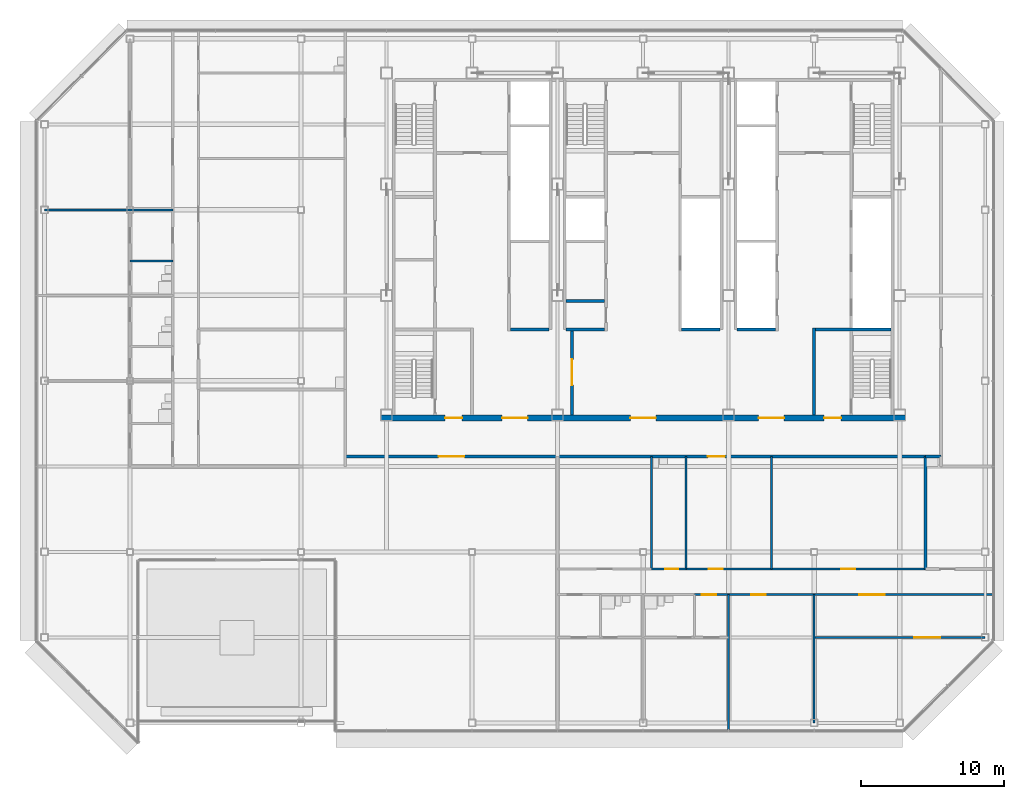
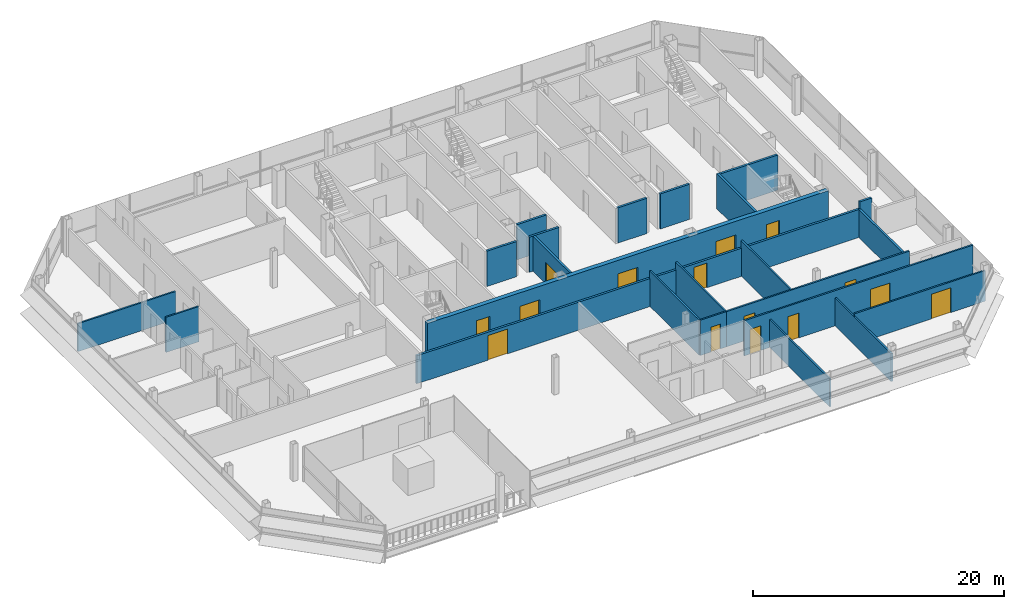
# One storey, part 24 of 31: 23 walls, 15 doors, 15 openings.
"""IFC4 building model written with IfcOpenShell, lengths in metres."""

from ifc_helpers import new_model, si_unit, direction, frame, frame_2d, origin, place, context, subcontext, project, spatial, rectangle, extrude, material, layer, layer_set, type_object, element, fill, save


model = new_model("IFC4")

# Units and contexts
model_context = context("Model", 3, precision=1e-05, world=origin(), true_north=direction((0.0, 1.0)))
body_context = subcontext(model_context, "Body", "Model", "MODEL_VIEW")
ifc_project = project(units=[si_unit("LENGTHUNIT", "METRE"), si_unit("AREAUNIT", "SQUARE_METRE"), si_unit("VOLUMEUNIT", "CUBIC_METRE"), si_unit("PLANEANGLEUNIT", "RADIAN"), si_unit("MASSUNIT", "GRAM", prefix="KILO")], contexts=[model_context])

# Site, building, storey
site_placement = place(None, origin())
site = spatial("IfcSite", under=ifc_project, at=site_placement, CompositionType="ELEMENT")
building_placement = place(site_placement, origin())
building = spatial("IfcBuilding", under=site, at=building_placement, Name="Sorahane Residences", CompositionType="ELEMENT")
storey_placement = place(building_placement, frame((0.0, 0.0, 319.60009765625)))
storey = spatial("IfcBuildingStorey", under=building, at=storey_placement, Name="L76", CompositionType="ELEMENT", Elevation=319.60009765625)

# Wall, openings, doors
ifc_material_1 = material(Name="Concrete blockwork C20 wall", Category="masonry")
ifc_layer_1 = layer(ifc_material_1, 0.199951171875)
ifc_layer_set_1 = layer_set([ifc_layer_1], Name="Corridor wall 200 EI 120")
wall_type_1 = type_object("IfcWallType", Name="Corridor wall 200 EI 120", PredefinedType="SOLIDWALL", material=ifc_layer_set_1)
wall_1_placement = place(storey_placement, frame((3.10009765625, 18.699951171875, 0.0), z_axis=(0.0, 0.0, 1.0), x_axis=(1.0, 0.0, 0.0)))
wall_1 = element("IfcWall", 1, at=wall_1_placement, inside=storey, type_object=wall_type_1, Name="L76 corridor wall", PredefinedType="SOLIDWALL", context=body_context, shape_type="SweptSolid", body=[
    extrude(rectangle(XDim=40.699951171875, YDim=0.199951171875, at=frame_2d((20.35009765625, 0.0))), origin(), (0.0, 0.0, 1.0), 2.719970703125),
])
opening_1_placement = place(wall_1_placement, frame((25.43994140625, 0.0, 0.0)))
opening_1 = element("IfcOpeningElement", 2, at=opening_1_placement, cuts=wall_1, Name="Opening L76-31", PredefinedType="OPENING", context=body_context, shape_type="SweptSolid", body=[
    extrude(rectangle(XDim=1.199951171875, YDim=2.39990234375, at=frame_2d((0.60009765625, 1.199951171875))), frame((0.0, 0.10986328125, 0.0), z_axis=(0.0, -1.0, 0.0), x_axis=(1.0, 0.0, 0.0)), (0.0, 0.0, 1.0), 0.219970703125),
])
opening_2_placement = place(wall_1_placement, frame((6.550048828125, 0.0, 0.0)))
opening_2 = element("IfcOpeningElement", 3, at=opening_2_placement, cuts=wall_1, Name="Opening L76-33", PredefinedType="OPENING", context=body_context, shape_type="SweptSolid", body=[
    extrude(rectangle(XDim=1.800048828125, YDim=2.39990234375, at=frame_2d((0.89990234375, 1.199951171875))), frame((0.0, 0.10986328125, 0.0), z_axis=(0.0, -1.0, 0.0), x_axis=(1.0, 0.0, 0.0)), (0.0, 0.0, 1.0), 0.219970703125),
])
ifc_material_2 = material(Name="Timber veneered fire door", Category="wood")
door_type_1 = type_object("IfcDoorType", Name="Double door 1800x2400 FD30", OperationType="NOTDEFINED", PredefinedType="DOOR", material=ifc_material_2)
door_1_placement = place(opening_2_placement, frame((1.800048828125, 0.0, 0.0), z_axis=(0.0, 0.0, 1.0), x_axis=(-1.0, 0.0, 0.0)))
door_1 = element("IfcDoor", 4, at=door_1_placement, inside=storey, type_object=door_type_1, Name="Double door L76-33", OperationType="SINGLE_SWING_RIGHT", OverallHeight=2.39990234375, OverallWidth=1.800048828125, PredefinedType="DOOR", context=body_context, shape_type="SweptSolid", body=[
    extrude(rectangle(XDim=1.800048828125, YDim=2.39990234375, at=frame_2d((0.89990234375, 1.199951171875))), frame((0.0, 0.02490234375, 0.0), z_axis=(0.0, -1.0, 0.0), x_axis=(1.0, 0.0, 0.0)), (0.0, 0.0, 1.0), 0.050048828125),
])
fill(opening_2, door_1)
ifc_material_3 = material(Name="Timber veneered fire door", Category="wood")
door_type_2 = type_object("IfcDoorType", Name="Flat entrance door 1200x2400 FD60", OperationType="NOTDEFINED", PredefinedType="DOOR", material=ifc_material_3)
door_2_placement = place(opening_1_placement, frame((1.199951171875, 0.0, 0.0), z_axis=(0.0, 0.0, 1.0), x_axis=(-1.0, 0.0, 0.0)))
door_2 = element("IfcDoor", 5, at=door_2_placement, inside=storey, type_object=door_type_2, Name="Flat entrance door L76-31", OperationType="SINGLE_SWING_RIGHT", OverallHeight=2.39990234375, OverallWidth=1.199951171875, PredefinedType="DOOR", context=body_context, shape_type="SweptSolid", body=[
    extrude(rectangle(XDim=1.199951171875, YDim=2.39990234375, at=frame_2d((0.60009765625, 1.199951171875))), frame((0.0, 0.02490234375, 0.0), z_axis=(0.0, -1.0, 0.0), x_axis=(1.0, 0.0, 0.0)), (0.0, 0.0, 1.0), 0.050048828125),
])
fill(opening_1, door_2)

# Walls
ifc_material_4 = material(Name="Concrete C30", Category="concrete")
ifc_layer_2 = layer(ifc_material_4, 0.199951171875)
ifc_layer_set_2 = layer_set([ifc_layer_2], Name="Front room wall 200 EI 120")
wall_type_2 = type_object("IfcWallType", Name="Front room wall 200 EI 120", PredefinedType="PARTITIONING", material=ifc_layer_set_2)
wall_2_placement = place(storey_placement, frame((36.0, 21.60009765625, 0.0), z_axis=(0.0, 0.0, 1.0), x_axis=(0.0, 1.0, 0.0)))
element("IfcWall", 6, at=wall_2_placement, inside=storey, type_object=wall_type_2, Name="L76 front room wall", PredefinedType="PARTITIONING", context=body_context, shape_type="SweptSolid", body=[
    extrude(rectangle(XDim=6.099853515625, YDim=0.199951171875, at=frame_2d((3.0498046875, 0.0))), origin(), (0.0, 0.0, 1.0), 3.419921875),
])
ifc_material_5 = material(Name="Concrete blockwork C20 wall", Category="masonry")
ifc_layer_3 = layer(ifc_material_5, 0.199951171875)
ifc_layer_set_3 = layer_set([ifc_layer_3], Name="Kitchen wall 200 EI 180")
wall_type_3 = type_object("IfcWallType", Name="Kitchen wall 200 EI 180", PredefinedType="SOLIDWALL", material=ifc_layer_set_3)
wall_3_placement = place(storey_placement, frame((43.800048828125, 10.800048828125, 0.0), z_axis=(0.0, 0.0, 1.0), x_axis=(0.0, 1.0, 0.0)))
element("IfcWall", 7, at=wall_3_placement, inside=storey, type_object=wall_type_3, Name="L76 kitchen wall", PredefinedType="SOLIDWALL", context=body_context, shape_type="SweptSolid", body=[
    extrude(rectangle(XDim=7.89990234375, YDim=0.199951171875, at=frame_2d((3.949951171875, 0.0))), origin(), (0.0, 0.0, 1.0), 2.719970703125),
])
wall_4_placement = place(storey_placement, frame((43.800048828125, 18.699951171875, 0.0), z_axis=(0.0, 0.0, 1.0), x_axis=(1.0, 0.0, 0.0)))
element("IfcWall", 8, at=wall_4_placement, inside=storey, type_object=wall_type_3, Name="L76 kitchen wall", PredefinedType="SOLIDWALL", context=body_context, shape_type="SweptSolid", body=[
    extrude(rectangle(XDim=1.099853515625, YDim=0.199951171875, at=frame_2d((0.5498046875, 0.0))), origin(), (0.0, 0.0, 1.0), 3.419921875),
])
ifc_material_6 = material(Name="Concrete C30", Category="concrete")
ifc_layer_4 = layer(ifc_material_6, 0.199951171875)
ifc_layer_set_4 = layer_set([ifc_layer_4], Name="Lift shaft wall 200 EI 120")
wall_type_4 = type_object("IfcWallType", Name="Lift shaft wall 200 EI 120", PredefinedType="SOLIDWALL", material=ifc_layer_set_4)
wall_5_placement = place(storey_placement, frame((30.60009765625, 27.60009765625, 0.0), z_axis=(0.0, 0.0, 1.0), x_axis=(1.0, 0.0, 0.0)))
element("IfcWall", 9, at=wall_5_placement, inside=storey, type_object=wall_type_4, Name="L76 lift shaft wall", PredefinedType="SOLIDWALL", context=body_context, shape_type="SweptSolid", body=[
    extrude(rectangle(XDim=2.699951171875, YDim=0.199951171875, at=frame_2d((1.35009765625, 0.0))), origin(), (0.0, 0.0, 1.0), 3.419921875),
])
ifc_material_7 = material(Name="Gypsum board partition on steel studs", Category="steel")
ifc_layer_5 = layer(ifc_material_7, 0.14990234375)
ifc_layer_set_5 = layer_set([ifc_layer_5], Name="Partition 150 EI 90")
wall_type_5 = type_object("IfcWallType", Name="Partition 150 EI 90", PredefinedType="PARTITIONING", material=ifc_layer_set_5)
wall_6_placement = place(storey_placement, frame((30.0, -0.60009765625, 0.0), z_axis=(0.0, 0.0, 1.0), x_axis=(0.0, 1.0, 0.0)))
element("IfcWall", 10, at=wall_6_placement, inside=storey, type_object=wall_type_5, Name="L76 partition", PredefinedType="PARTITIONING", context=body_context, shape_type="SweptSolid", body=[
    extrude(rectangle(XDim=9.60009765625, YDim=0.14990234375, at=frame_2d((4.800048828125, 0.0))), origin(), (0.0, 0.0, 1.0), 2.719970703125),
])
wall_7_placement = place(storey_placement, frame((33.0, 10.800048828125, 0.0), z_axis=(0.0, 0.0, 1.0), x_axis=(0.0, 1.0, 0.0)))
element("IfcWall", 11, at=wall_7_placement, inside=storey, type_object=wall_type_5, Name="L76 partition", PredefinedType="PARTITIONING", context=body_context, shape_type="SweptSolid", body=[
    extrude(rectangle(XDim=7.89990234375, YDim=0.14990234375, at=frame_2d((3.949951171875, 0.0))), origin(), (0.0, 0.0, 1.0), 3.419921875),
])
wall_8_placement = place(storey_placement, frame((36.0, 0.0, 0.0), z_axis=(0.0, 0.0, 1.0), x_axis=(0.0, 1.0, 0.0)))
element("IfcWall", 12, at=wall_8_placement, inside=storey, type_object=wall_type_5, Name="L76 partition", PredefinedType="PARTITIONING", context=body_context, shape_type="SweptSolid", body=[
    extrude(rectangle(XDim=9.0, YDim=0.14990234375, at=frame_2d((4.5, 0.0))), origin(), (0.0, 0.0, 1.0), 2.719970703125),
])

# Wall, openings, doors
wall_9_placement = place(storey_placement, frame((27.0, 10.800048828125, 0.0), z_axis=(0.0, 0.0, 1.0), x_axis=(1.0, 0.0, 0.0)))
wall_9 = element("IfcWall", 13, at=wall_9_placement, inside=storey, type_object=wall_type_5, Name="L76 partition", PredefinedType="PARTITIONING", context=body_context, shape_type="SweptSolid", body=[
    extrude(rectangle(XDim=16.800048828125, YDim=0.14990234375, at=frame_2d((8.39990234375, 0.0))), origin(), (0.0, 0.0, 1.0), 3.419921875),
])
opening_3_placement = place(wall_9_placement, frame((1.60009765625, 0.0, 0.0)))
opening_3 = element("IfcOpeningElement", 14, at=opening_3_placement, cuts=wall_9, Name="Opening L76-01", PredefinedType="OPENING", context=body_context, shape_type="SweptSolid", body=[
    extrude(rectangle(XDim=1.0, YDim=2.39990234375, at=frame_2d((0.5, 1.199951171875))), frame((0.0, 0.0849609375, 0.0), z_axis=(0.0, -1.0, 0.0), x_axis=(1.0, 0.0, 0.0)), (0.0, 0.0, 1.0), 0.169921875),
])
opening_4_placement = place(wall_9_placement, frame((10.89990234375, 0.0, 0.0)))
opening_4 = element("IfcOpeningElement", 15, at=opening_4_placement, cuts=wall_9, Name="Opening L76-04", PredefinedType="OPENING", context=body_context, shape_type="SweptSolid", body=[
    extrude(rectangle(XDim=1.0, YDim=2.39990234375, at=frame_2d((0.5, 1.199951171875))), frame((0.0, 0.0849609375, 0.0), z_axis=(0.0, -1.0, 0.0), x_axis=(1.0, 0.0, 0.0)), (0.0, 0.0, 1.0), 0.169921875),
])
ifc_material_8 = material(Name="Timber veneered fire door", Category="wood")
door_type_3 = type_object("IfcDoorType", Name="Room door 1000x2400 FD30", OperationType="NOTDEFINED", PredefinedType="DOOR", material=ifc_material_8)
door_3_placement = place(opening_3_placement, frame((1.0, 0.0, 0.0), z_axis=(0.0, 0.0, 1.0), x_axis=(-1.0, 0.0, 0.0)))
door_3 = element("IfcDoor", 16, at=door_3_placement, inside=storey, type_object=door_type_3, Name="Room door L76-01", OperationType="SINGLE_SWING_LEFT", OverallHeight=2.39990234375, OverallWidth=1.0, PredefinedType="DOOR", context=body_context, shape_type="SweptSolid", body=[
    extrude(rectangle(XDim=1.0, YDim=2.39990234375, at=frame_2d((0.5, 1.199951171875))), frame((0.0, 0.02490234375, 0.0), z_axis=(0.0, -1.0, 0.0), x_axis=(1.0, 0.0, 0.0)), (0.0, 0.0, 1.0), 0.050048828125),
])
fill(opening_3, door_3)
door_4_placement = place(opening_4_placement, origin())
door_4 = element("IfcDoor", 17, at=door_4_placement, inside=storey, type_object=door_type_3, Name="Room door L76-04", OperationType="SINGLE_SWING_LEFT", OverallHeight=2.39990234375, OverallWidth=1.0, PredefinedType="DOOR", context=body_context, shape_type="SweptSolid", body=[
    extrude(rectangle(XDim=1.0, YDim=2.39990234375, at=frame_2d((0.5, 1.199951171875))), frame((0.0, 0.02490234375, 0.0), z_axis=(0.0, -1.0, 0.0), x_axis=(1.0, 0.0, 0.0)), (0.0, 0.0, 1.0), 0.050048828125),
])
fill(opening_4, door_4)

# Wall
wall_10_placement = place(storey_placement, frame((-18.0, 36.0, 0.0), z_axis=(0.0, 0.0, 1.0), x_axis=(1.0, 0.0, 0.0)))
element("IfcWall", 18, at=wall_10_placement, inside=storey, type_object=wall_type_5, Name="L76 partition", PredefinedType="PARTITIONING", context=body_context, shape_type="SweptSolid", body=[
    extrude(rectangle(XDim=9.0, YDim=0.14990234375, at=frame_2d((4.5, 0.0))), origin(), (0.0, 0.0, 1.0), 2.719970703125),
])

# Wall, opening, door
wall_11_placement = place(storey_placement, frame((36.0, 6.0, 0.0), z_axis=(0.0, 0.0, 1.0), x_axis=(1.0, 0.0, 0.0)))
wall_11 = element("IfcWall", 19, at=wall_11_placement, inside=storey, type_object=wall_type_5, Name="L76 partition", PredefinedType="PARTITIONING", context=body_context, shape_type="SweptSolid", body=[
    extrude(rectangle(XDim=12.0, YDim=0.14990234375, at=frame_2d((6.0, 0.0))), origin(), (0.0, 0.0, 1.0), 2.969970703125),
])
opening_5_placement = place(wall_11_placement, frame((7.0400390625, 0.0, 0.0)))
opening_5 = element("IfcOpeningElement", 20, at=opening_5_placement, cuts=wall_11, Name="Opening L76-14", PredefinedType="OPENING", context=body_context, shape_type="SweptSolid", body=[
    extrude(rectangle(XDim=1.800048828125, YDim=2.39990234375, at=frame_2d((0.89990234375, 1.199951171875))), frame((0.0, 0.0849609375, 0.0), z_axis=(0.0, -1.0, 0.0), x_axis=(1.0, 0.0, 0.0)), (0.0, 0.0, 1.0), 0.169921875),
])
door_5_placement = place(opening_5_placement, frame((1.800048828125, 0.0, 0.0), z_axis=(0.0, 0.0, 1.0), x_axis=(-1.0, 0.0, 0.0)))
door_5 = element("IfcDoor", 21, at=door_5_placement, inside=storey, type_object=door_type_1, Name="Double door L76-14", OperationType="SINGLE_SWING_RIGHT", OverallHeight=2.39990234375, OverallWidth=1.800048828125, PredefinedType="DOOR", context=body_context, shape_type="SweptSolid", body=[
    extrude(rectangle(XDim=1.800048828125, YDim=2.39990234375, at=frame_2d((0.89990234375, 1.199951171875))), frame((0.0, 0.02490234375, 0.0), z_axis=(0.0, -1.0, 0.0), x_axis=(1.0, 0.0, 0.0)), (0.0, 0.0, 1.0), 0.050048828125),
])
fill(opening_5, door_5)

# Wall, openings, doors
wall_12_placement = place(storey_placement, frame((27.60009765625, 9.0, 0.0), z_axis=(0.0, 0.0, 1.0), x_axis=(1.0, 0.0, 0.0)))
wall_12 = element("IfcWall", 22, at=wall_12_placement, inside=storey, type_object=wall_type_5, Name="L76 partition", PredefinedType="PARTITIONING", context=body_context, shape_type="SweptSolid", body=[
    extrude(rectangle(XDim=21.0, YDim=0.14990234375, at=frame_2d((10.5, 0.0))), origin(), (0.0, 0.0, 1.0), 3.419921875),
])
opening_6_placement = place(wall_12_placement, frame((0.52001953125, 0.0, 0.0)))
opening_6 = element("IfcOpeningElement", 23, at=opening_6_placement, cuts=wall_12, Name="Opening L76-07", PredefinedType="OPENING", context=body_context, shape_type="SweptSolid", body=[
    extrude(rectangle(XDim=1.0, YDim=2.39990234375, at=frame_2d((0.5, 1.199951171875))), frame((0.0, 0.0849609375, 0.0), z_axis=(0.0, -1.0, 0.0), x_axis=(1.0, 0.0, 0.0)), (0.0, 0.0, 1.0), 0.169921875),
])
opening_7_placement = place(wall_12_placement, frame((4.0, 0.0, 0.0)))
opening_7 = element("IfcOpeningElement", 24, at=opening_7_placement, cuts=wall_12, Name="Opening L76-08", PredefinedType="OPENING", context=body_context, shape_type="SweptSolid", body=[
    extrude(rectangle(XDim=1.0, YDim=2.39990234375, at=frame_2d((0.5, 1.199951171875))), frame((0.0, 0.0849609375, 0.0), z_axis=(0.0, -1.0, 0.0), x_axis=(1.0, 0.0, 0.0)), (0.0, 0.0, 1.0), 0.169921875),
])
opening_8_placement = place(wall_12_placement, frame((11.56005859375, 0.0, 0.0)))
opening_8 = element("IfcOpeningElement", 25, at=opening_8_placement, cuts=wall_12, Name="Opening L76-09", PredefinedType="OPENING", context=body_context, shape_type="SweptSolid", body=[
    extrude(rectangle(XDim=1.800048828125, YDim=2.39990234375, at=frame_2d((0.89990234375, 1.199951171875))), frame((0.0, 0.0849609375, 0.0), z_axis=(0.0, -1.0, 0.0), x_axis=(1.0, 0.0, 0.0)), (0.0, 0.0, 1.0), 0.169921875),
])
door_6_placement = place(opening_8_placement, frame((1.800048828125, 0.0, 0.0), z_axis=(0.0, 0.0, 1.0), x_axis=(-1.0, 0.0, 0.0)))
door_6 = element("IfcDoor", 26, at=door_6_placement, inside=storey, type_object=door_type_1, Name="Double door L76-09", OperationType="SINGLE_SWING_LEFT", OverallHeight=2.39990234375, OverallWidth=1.800048828125, PredefinedType="DOOR", context=body_context, shape_type="SweptSolid", body=[
    extrude(rectangle(XDim=1.800048828125, YDim=2.39990234375, at=frame_2d((0.89990234375, 1.199951171875))), frame((0.0, 0.02490234375, 0.0), z_axis=(0.0, -1.0, 0.0), x_axis=(1.0, 0.0, 0.0)), (0.0, 0.0, 1.0), 0.050048828125),
])
fill(opening_8, door_6)
door_7_placement = place(opening_6_placement, frame((1.0, 0.0, 0.0), z_axis=(0.0, 0.0, 1.0), x_axis=(-1.0, 0.0, 0.0)))
door_7 = element("IfcDoor", 27, at=door_7_placement, inside=storey, type_object=door_type_3, Name="Room door L76-07", OperationType="SINGLE_SWING_RIGHT", OverallHeight=2.39990234375, OverallWidth=1.0, PredefinedType="DOOR", context=body_context, shape_type="SweptSolid", body=[
    extrude(rectangle(XDim=1.0, YDim=2.39990234375, at=frame_2d((0.5, 1.199951171875))), frame((0.0, 0.02490234375, 0.0), z_axis=(0.0, -1.0, 0.0), x_axis=(1.0, 0.0, 0.0)), (0.0, 0.0, 1.0), 0.050048828125),
])
fill(opening_6, door_7)
door_8_placement = place(opening_7_placement, frame((1.0, 0.0, 0.0), z_axis=(0.0, 0.0, 1.0), x_axis=(-1.0, 0.0, 0.0)))
door_8 = element("IfcDoor", 28, at=door_8_placement, inside=storey, type_object=door_type_3, Name="Room door L76-08", OperationType="SINGLE_SWING_LEFT", OverallHeight=2.39990234375, OverallWidth=1.0, PredefinedType="DOOR", context=body_context, shape_type="SweptSolid", body=[
    extrude(rectangle(XDim=1.0, YDim=2.39990234375, at=frame_2d((0.5, 1.199951171875))), frame((0.0, 0.02490234375, 0.0), z_axis=(0.0, -1.0, 0.0), x_axis=(1.0, 0.0, 0.0)), (0.0, 0.0, 1.0), 0.050048828125),
])
fill(opening_7, door_8)

# Wall
ifc_material_9 = material(Name="Concrete C30", Category="concrete")
ifc_layer_6 = layer(ifc_material_9, 0.199951171875)
ifc_layer_set_6 = layer_set([ifc_layer_6], Name="Riser shaft wall 200 EI 120")
wall_type_6 = type_object("IfcWallType", Name="Riser shaft wall 200 EI 120", PredefinedType="SOLIDWALL", material=ifc_layer_set_6)
wall_13_placement = place(storey_placement, frame((26.699951171875, 27.60009765625, 0.0), z_axis=(0.0, 0.0, 1.0), x_axis=(1.0, 0.0, 0.0)))
element("IfcWall", 29, at=wall_13_placement, inside=storey, type_object=wall_type_6, Name="L76 riser wall", PredefinedType="SOLIDWALL", context=body_context, shape_type="SweptSolid", body=[
    extrude(rectangle(XDim=2.699951171875, YDim=0.199951171875, at=frame_2d((1.35009765625, 0.0))), origin(), (0.0, 0.0, 1.0), 3.419921875),
])

# Wall, opening, door
ifc_material_10 = material(Name="Concrete C30", Category="concrete")
ifc_layer_7 = layer(ifc_material_10, 0.199951171875)
ifc_layer_set_7 = layer_set([ifc_layer_7], Name="Service room partition 200 EI 60")
wall_type_7 = type_object("IfcWallType", Name="Service room partition 200 EI 60", PredefinedType="PARTITIONING", material=ifc_layer_set_7)
wall_14_placement = place(storey_placement, frame((19.0, 21.60009765625, 0.0), z_axis=(0.0, 0.0, 1.0), x_axis=(0.0, 1.0, 0.0)))
wall_14 = element("IfcWall", 30, at=wall_14_placement, inside=storey, type_object=wall_type_7, Name="L76 service room wall", PredefinedType="PARTITIONING", context=body_context, shape_type="SweptSolid", body=[
    extrude(rectangle(XDim=6.0, YDim=0.199951171875, at=frame_2d((3.0, 0.0))), origin(), (0.0, 0.0, 1.0), 3.419921875),
])
opening_9_placement = place(wall_14_placement, frame((2.10009765625, 0.0, 0.0)))
opening_9 = element("IfcOpeningElement", 31, at=opening_9_placement, cuts=wall_14, Name="Opening L76-C02", PredefinedType="OPENING", context=body_context, shape_type="SweptSolid", body=[
    extrude(rectangle(XDim=1.800048828125, YDim=2.10009765625, at=frame_2d((0.89990234375, 1.050048828125))), frame((0.0, 0.10986328125, 0.0), z_axis=(0.0, -1.0, 0.0), x_axis=(1.0, 0.0, 0.0)), (0.0, 0.0, 1.0), 0.219970703125),
])
ifc_material_11 = material(Name="Steel", Category="steel")
door_type_4 = type_object("IfcDoorType", Name="Waiting hall door 1800x2100 FD60", OperationType="NOTDEFINED", PredefinedType="DOOR", material=ifc_material_11)
door_9_placement = place(opening_9_placement, origin())
door_9 = element("IfcDoor", 32, at=door_9_placement, inside=storey, type_object=door_type_4, Name="Waiting hall door Residents' waiting hall west L76", OperationType="SINGLE_SWING_LEFT", OverallHeight=2.10009765625, OverallWidth=1.800048828125, PredefinedType="DOOR", context=body_context, shape_type="SweptSolid", body=[
    extrude(rectangle(XDim=1.800048828125, YDim=2.10009765625, at=frame_2d((0.89990234375, 1.050048828125))), frame((0.0, 0.02490234375, 0.0), z_axis=(0.0, -1.0, 0.0), x_axis=(1.0, 0.0, 0.0)), (0.0, 0.0, 1.0), 0.050048828125),
])
fill(opening_9, door_9)

# Walls
for number, where, z_axis, x_axis, name in (
    (33, (14.699951171875, 27.60009765625, 0.0), (0.0, 0.0, 1.0), (1.0, 0.0, 0.0), "L76 service room wall"),
    (34, (18.60009765625, 27.60009765625, 0.0), (0.0, 0.0, 1.0), (1.0, 0.0, 0.0), "L76 service room wall"),
    (35, (18.60009765625, 29.60009765625, 0.0), (0.0, 0.0, 1.0), (1.0, 0.0, 0.0), "L76 service room wall"),
):
    element("IfcWall", number, at=place(storey_placement, frame(where, z_axis=z_axis, x_axis=x_axis)), inside=storey, type_object=wall_type_7, Name=name, PredefinedType="PARTITIONING", context=body_context, shape_type="SweptSolid", body=[
        extrude(rectangle(XDim=2.699951171875, YDim=0.199951171875, at=frame_2d((1.35009765625, 0.0))), origin(), (0.0, 0.0, 1.0), 3.419921875),
    ])
ifc_material_12 = material(Name="Concrete C30", Category="concrete")
ifc_layer_8 = layer(ifc_material_12, 0.199951171875)
ifc_layer_set_8 = layer_set([ifc_layer_8], Name="Stair enclosure wall 200 EI 120")
wall_type_8 = type_object("IfcWallType", Name="Stair enclosure wall 200 EI 120", PredefinedType="SOLIDWALL", material=ifc_layer_set_8)
wall_15_placement = place(storey_placement, frame((36.10009765625, 27.60009765625, 0.0), z_axis=(0.0, 0.0, 1.0), x_axis=(1.0, 0.0, 0.0)))
element("IfcWall", 36, at=wall_15_placement, inside=storey, type_object=wall_type_8, Name="L76 stair enclosure wall", PredefinedType="SOLIDWALL", context=body_context, shape_type="SweptSolid", body=[
    extrude(rectangle(XDim=5.2998046875, YDim=0.199951171875, at=frame_2d((2.64990234375, 0.0))), origin(), (0.0, 0.0, 1.0), 3.419921875),
])

# Wall, openings, doors
ifc_material_13 = material(Name="Concrete C30", Category="concrete")
ifc_layer_9 = layer(ifc_material_13, 0.39990234375)
ifc_layer_set_9 = layer_set([ifc_layer_9], Name="Waiting hall wall 400 EI 120")
wall_type_9 = type_object("IfcWallType", Name="Waiting hall wall 400 EI 120", PredefinedType="SOLIDWALL", material=ifc_layer_set_9)
wall_16_placement = place(storey_placement, frame((5.60009765625, 21.39990234375, 0.0), z_axis=(0.0, 0.0, 1.0), x_axis=(1.0, 0.0, 0.0)))
wall_16 = element("IfcWall", 37, at=wall_16_placement, inside=storey, type_object=wall_type_9, Name="L76 waiting hall wall", PredefinedType="SOLIDWALL", context=body_context, shape_type="SweptSolid", body=[
    extrude(rectangle(XDim=36.7998046875, YDim=0.39990234375, at=frame_2d((18.39990234375, 0.0))), origin(), (0.0, 0.0, 1.0), 3.419921875),
])
opening_10_placement = place(wall_16_placement, frame((8.5, 0.0, 0.0)))
opening_10 = element("IfcOpeningElement", 38, at=opening_10_placement, cuts=wall_16, Name="Opening L76-C01", PredefinedType="OPENING", context=body_context, shape_type="SweptSolid", body=[
    extrude(rectangle(XDim=1.800048828125, YDim=2.10009765625, at=frame_2d((0.89990234375, 1.050048828125))), frame((0.0, 0.2099609375, 0.0), z_axis=(0.0, -1.0, 0.0), x_axis=(1.0, 0.0, 0.0)), (0.0, 0.0, 1.0), 0.419921875),
])
opening_11_placement = place(wall_16_placement, frame((17.5, 0.0, 0.0)))
opening_11 = element("IfcOpeningElement", 39, at=opening_11_placement, cuts=wall_16, Name="Opening L76-C03", PredefinedType="OPENING", context=body_context, shape_type="SweptSolid", body=[
    extrude(rectangle(XDim=1.800048828125, YDim=2.10009765625, at=frame_2d((0.89990234375, 1.050048828125))), frame((0.0, 0.2099609375, 0.0), z_axis=(0.0, -1.0, 0.0), x_axis=(1.0, 0.0, 0.0)), (0.0, 0.0, 1.0), 0.419921875),
])
opening_12_placement = place(wall_16_placement, frame((26.5, 0.0, 0.0)))
opening_12 = element("IfcOpeningElement", 40, at=opening_12_placement, cuts=wall_16, Name="Opening L76-C04", PredefinedType="OPENING", context=body_context, shape_type="SweptSolid", body=[
    extrude(rectangle(XDim=1.800048828125, YDim=2.10009765625, at=frame_2d((0.89990234375, 1.050048828125))), frame((0.0, 0.2099609375, 0.0), z_axis=(0.0, -1.0, 0.0), x_axis=(1.0, 0.0, 0.0)), (0.0, 0.0, 1.0), 0.419921875),
])
opening_13_placement = place(wall_16_placement, frame((4.5, 0.0, 0.0)))
opening_13 = element("IfcOpeningElement", 41, at=opening_13_placement, cuts=wall_16, Name="Opening L76-C05", PredefinedType="OPENING", context=body_context, shape_type="SweptSolid", body=[
    extrude(rectangle(XDim=1.199951171875, YDim=2.10009765625, at=frame_2d((0.60009765625, 1.050048828125))), frame((0.0, 0.2099609375, 0.0), z_axis=(0.0, -1.0, 0.0), x_axis=(1.0, 0.0, 0.0)), (0.0, 0.0, 1.0), 0.419921875),
])
opening_14_placement = place(wall_16_placement, frame((31.10009765625, 0.0, 0.0)))
opening_14 = element("IfcOpeningElement", 42, at=opening_14_placement, cuts=wall_16, Name="Opening L76-C06", PredefinedType="OPENING", context=body_context, shape_type="SweptSolid", body=[
    extrude(rectangle(XDim=1.199951171875, YDim=2.10009765625, at=frame_2d((0.60009765625, 1.050048828125))), frame((0.0, 0.2099609375, 0.0), z_axis=(0.0, -1.0, 0.0), x_axis=(1.0, 0.0, 0.0)), (0.0, 0.0, 1.0), 0.419921875),
])
ifc_material_14 = material(Name="Steel", Category="steel")
door_type_5 = type_object("IfcDoorType", Name="Stair front room door 1200x2100 FD120", OperationType="NOTDEFINED", PredefinedType="DOOR", material=ifc_material_14)
door_10_placement = place(opening_13_placement, frame((1.199951171875, 0.0, 0.0), z_axis=(0.0, 0.0, 1.0), x_axis=(-1.0, 0.0, 0.0)))
door_10 = element("IfcDoor", 43, at=door_10_placement, inside=storey, type_object=door_type_5, Name="Stair front room door Stair S4 front room L76", OperationType="SINGLE_SWING_LEFT", OverallHeight=2.10009765625, OverallWidth=1.199951171875, PredefinedType="DOOR", context=body_context, shape_type="SweptSolid", body=[
    extrude(rectangle(XDim=1.199951171875, YDim=2.10009765625, at=frame_2d((0.60009765625, 1.050048828125))), frame((0.0, 0.02490234375, 0.0), z_axis=(0.0, -1.0, 0.0), x_axis=(1.0, 0.0, 0.0)), (0.0, 0.0, 1.0), 0.050048828125),
])
fill(opening_13, door_10)
door_11_placement = place(opening_14_placement, frame((1.199951171875, 0.0, 0.0), z_axis=(0.0, 0.0, 1.0), x_axis=(-1.0, 0.0, 0.0)))
door_11 = element("IfcDoor", 44, at=door_11_placement, inside=storey, type_object=door_type_5, Name="Stair front room door Stair S5 front room L76", OperationType="SINGLE_SWING_LEFT", OverallHeight=2.10009765625, OverallWidth=1.199951171875, PredefinedType="DOOR", context=body_context, shape_type="SweptSolid", body=[
    extrude(rectangle(XDim=1.199951171875, YDim=2.10009765625, at=frame_2d((0.60009765625, 1.050048828125))), frame((0.0, 0.02490234375, 0.0), z_axis=(0.0, -1.0, 0.0), x_axis=(1.0, 0.0, 0.0)), (0.0, 0.0, 1.0), 0.050048828125),
])
fill(opening_14, door_11)
door_12_placement = place(opening_10_placement, frame((1.800048828125, 0.0, 0.0), z_axis=(0.0, 0.0, 1.0), x_axis=(-1.0, 0.0, 0.0)))
door_12 = element("IfcDoor", 45, at=door_12_placement, inside=storey, type_object=door_type_4, Name="Waiting hall door Residents' waiting hall west L76", OperationType="SINGLE_SWING_LEFT", OverallHeight=2.10009765625, OverallWidth=1.800048828125, PredefinedType="DOOR", context=body_context, shape_type="SweptSolid", body=[
    extrude(rectangle(XDim=1.800048828125, YDim=2.10009765625, at=frame_2d((0.89990234375, 1.050048828125))), frame((0.0, 0.02490234375, 0.0), z_axis=(0.0, -1.0, 0.0), x_axis=(1.0, 0.0, 0.0)), (0.0, 0.0, 1.0), 0.050048828125),
])
fill(opening_10, door_12)
door_13_placement = place(opening_11_placement, frame((1.800048828125, 0.0, 0.0), z_axis=(0.0, 0.0, 1.0), x_axis=(-1.0, 0.0, 0.0)))
door_13 = element("IfcDoor", 46, at=door_13_placement, inside=storey, type_object=door_type_4, Name="Waiting hall door Residents' waiting hall east L76", OperationType="SINGLE_SWING_LEFT", OverallHeight=2.10009765625, OverallWidth=1.800048828125, PredefinedType="DOOR", context=body_context, shape_type="SweptSolid", body=[
    extrude(rectangle(XDim=1.800048828125, YDim=2.10009765625, at=frame_2d((0.89990234375, 1.050048828125))), frame((0.0, 0.02490234375, 0.0), z_axis=(0.0, -1.0, 0.0), x_axis=(1.0, 0.0, 0.0)), (0.0, 0.0, 1.0), 0.050048828125),
])
fill(opening_11, door_13)
door_14_placement = place(opening_12_placement, frame((1.800048828125, 0.0, 0.0), z_axis=(0.0, 0.0, 1.0), x_axis=(-1.0, 0.0, 0.0)))
door_14 = element("IfcDoor", 47, at=door_14_placement, inside=storey, type_object=door_type_4, Name="Waiting hall door Residents' waiting hall east L76", OperationType="SINGLE_SWING_LEFT", OverallHeight=2.10009765625, OverallWidth=1.800048828125, PredefinedType="DOOR", context=body_context, shape_type="SweptSolid", body=[
    extrude(rectangle(XDim=1.800048828125, YDim=2.10009765625, at=frame_2d((0.89990234375, 1.050048828125))), frame((0.0, 0.02490234375, 0.0), z_axis=(0.0, -1.0, 0.0), x_axis=(1.0, 0.0, 0.0)), (0.0, 0.0, 1.0), 0.050048828125),
])
fill(opening_12, door_14)

# Walls
ifc_material_15 = material(Name="Gypsum board partition on steel studs", Category="steel")
ifc_layer_10 = layer(ifc_material_15, 0.14990234375)
ifc_layer_set_10 = layer_set([ifc_layer_10], Name="Wet wall 150 EI 90")
wall_type_10 = type_object("IfcWallType", Name="Wet wall 150 EI 90", PredefinedType="PARTITIONING", material=ifc_layer_set_10)
for number, where, z_axis, x_axis, name in (
    (48, (24.60009765625, 10.800048828125, 0.0), (0.0, 0.0, 1.0), (0.0, 1.0, 0.0), "L76 wet wall"),
    (49, (27.0, 10.800048828125, 0.0), (0.0, 0.0, 1.0), (0.0, 1.0, 0.0), "L76 wet wall"),
):
    element("IfcWall", number, at=place(storey_placement, frame(where, z_axis=z_axis, x_axis=x_axis)), inside=storey, type_object=wall_type_10, Name=name, PredefinedType="PARTITIONING", context=body_context, shape_type="SweptSolid", body=[
        extrude(rectangle(XDim=7.89990234375, YDim=0.14990234375, at=frame_2d((3.949951171875, 0.0))), origin(), (0.0, 0.0, 1.0), 3.419921875),
    ])

# Wall, opening, door
wall_17_placement = place(storey_placement, frame((24.60009765625, 10.800048828125, 0.0), z_axis=(0.0, 0.0, 1.0), x_axis=(1.0, 0.0, 0.0)))
wall_17 = element("IfcWall", 50, at=wall_17_placement, inside=storey, type_object=wall_type_10, Name="L76 wet wall", PredefinedType="PARTITIONING", context=body_context, shape_type="SweptSolid", body=[
    extrude(rectangle(XDim=2.39990234375, YDim=0.14990234375, at=frame_2d((1.199951171875, 0.0))), origin(), (0.0, 0.0, 1.0), 3.419921875),
])
opening_15_placement = place(wall_17_placement, frame((0.949951171875, 0.0, 0.0)))
opening_15 = element("IfcOpeningElement", 51, at=opening_15_placement, cuts=wall_17, Name="Opening L76-03", PredefinedType="OPENING", context=body_context, shape_type="SweptSolid", body=[
    extrude(rectangle(XDim=0.89990234375, YDim=2.39990234375, at=frame_2d((0.449951171875, 1.199951171875))), frame((0.0, 0.0849609375, 0.0), z_axis=(0.0, -1.0, 0.0), x_axis=(1.0, 0.0, 0.0)), (0.0, 0.0, 1.0), 0.169921875),
])
ifc_material_16 = material(Name="Timber veneered fire door", Category="wood")
door_type_6 = type_object("IfcDoorType", Name="Bathroom door 900x2400 FD30", OperationType="NOTDEFINED", PredefinedType="DOOR", material=ifc_material_16)
door_15_placement = place(opening_15_placement, frame((0.89990234375, 0.0, 0.0), z_axis=(0.0, 0.0, 1.0), x_axis=(-1.0, 0.0, 0.0)))
door_15 = element("IfcDoor", 52, at=door_15_placement, inside=storey, type_object=door_type_6, Name="Bathroom door L76-03", OperationType="SINGLE_SWING_LEFT", OverallHeight=2.39990234375, OverallWidth=0.89990234375, PredefinedType="DOOR", context=body_context, shape_type="SweptSolid", body=[
    extrude(rectangle(XDim=0.89990234375, YDim=2.39990234375, at=frame_2d((0.449951171875, 1.199951171875))), frame((0.0, 0.02490234375, 0.0), z_axis=(0.0, -1.0, 0.0), x_axis=(1.0, 0.0, 0.0)), (0.0, 0.0, 1.0), 0.050048828125),
])
fill(opening_15, door_15)

# Wall
wall_18_placement = place(storey_placement, frame((-12.0, 32.39990234375, 0.0), z_axis=(0.0, 0.0, 1.0), x_axis=(1.0, 0.0, 0.0)))
element("IfcWall", 53, at=wall_18_placement, inside=storey, type_object=wall_type_10, Name="L76 wet wall", PredefinedType="PARTITIONING", context=body_context, shape_type="SweptSolid", body=[
    extrude(rectangle(XDim=3.0, YDim=0.14990234375, at=frame_2d((1.5, 0.0))), origin(), (0.0, 0.0, 1.0), 3.419921875),
])

save(model, "model.ifc")
